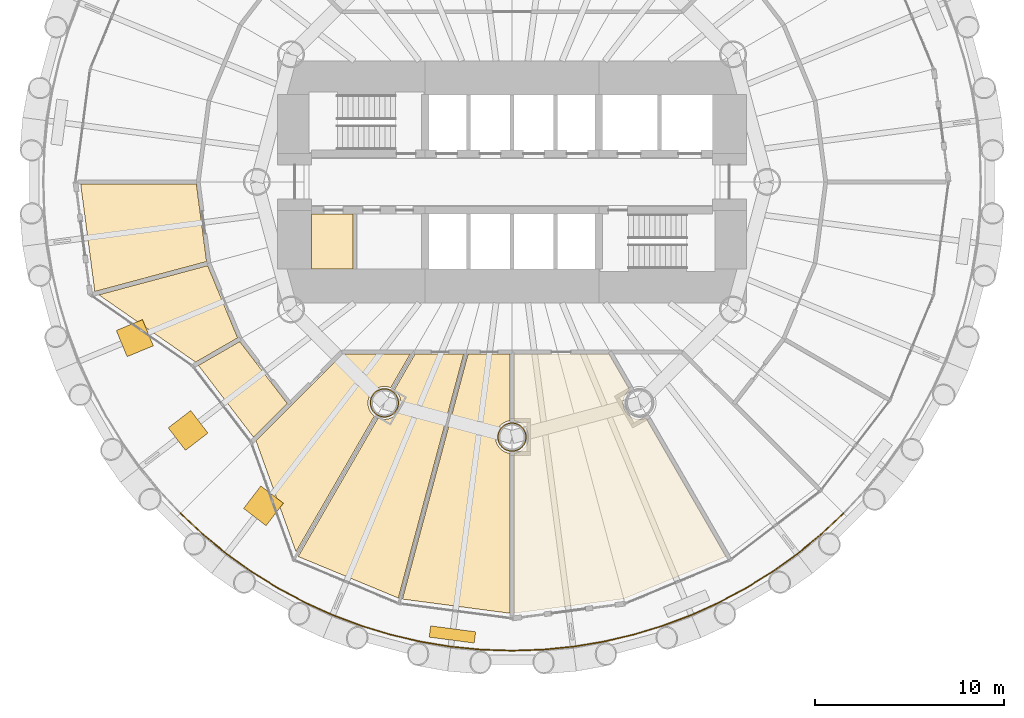
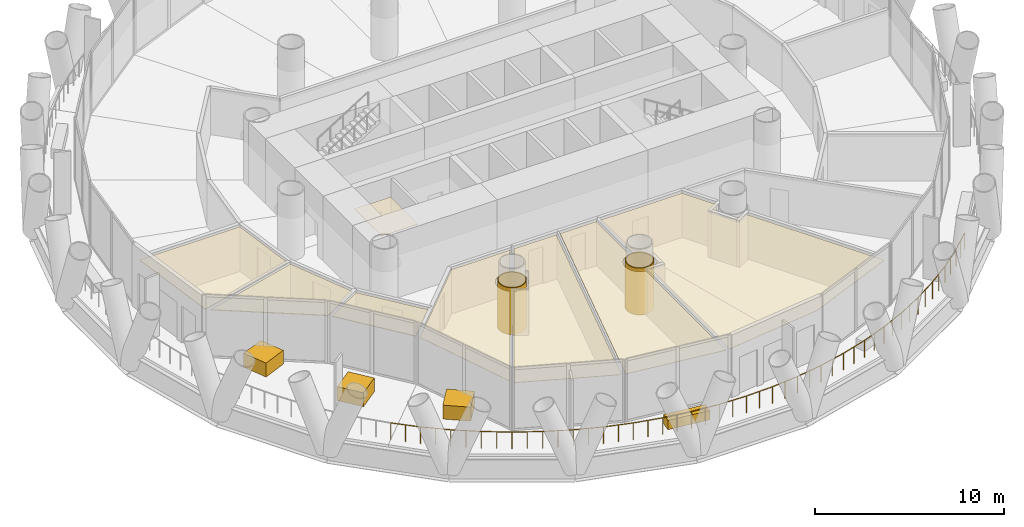
# One storey, part 11 of 14: 14 coverings, 1 railing.
"""IFC4 building model written with IfcOpenShell, lengths in metres."""

from ifc_helpers import new_model, si_unit, direction, frame, origin, origin_2d, place, context, subcontext, project, spatial, polyline, rectangle, circle, outline, extrude, material, layer, layer_set, type_object, element, save


model = new_model("IFC4")

# Units and contexts
model_context = context("Model", 3, precision=1e-05, world=origin(), true_north=direction((0.0, 1.0)))
body_context = subcontext(model_context, "Body", "Model", "MODEL_VIEW")
ifc_project = project(units=[si_unit("LENGTHUNIT", "METRE"), si_unit("AREAUNIT", "SQUARE_METRE"), si_unit("VOLUMEUNIT", "CUBIC_METRE"), si_unit("PLANEANGLEUNIT", "RADIAN"), si_unit("MASSUNIT", "GRAM", prefix="KILO")], contexts=[model_context])

# Site, building, storey
site_placement = place(None, origin())
site = spatial("IfcSite", under=ifc_project, at=site_placement, CompositionType="ELEMENT")
building_placement = place(site_placement, origin())
building = spatial("IfcBuilding", under=site, at=building_placement, Name="Qaws Media Tower", CompositionType="ELEMENT")
storey_placement = place(building_placement, frame((0.0, 0.0, 84.800048828125)))
storey = spatial("IfcBuildingStorey", under=building, at=storey_placement, Name="L18", CompositionType="ELEMENT", Elevation=84.800048828125)

# Coverings
ifc_material_1 = material(Name="40 perforated acoustic panels with mineral wool backing, suspended", Category="mineral fibre")
ifc_layer_1 = layer(ifc_material_1, 0.0400390625)
ifc_layer_set_1 = layer_set([ifc_layer_1], Name="Acoustic panel ceiling 40")
covering_type_1 = type_object("IfcCoveringType", Name="Acoustic panel ceiling 40", PredefinedType="CEILING", material=ifc_layer_set_1)
covering_1_placement = place(storey_placement, frame((0.0, 0.0, 2.849853515625)))
element("IfcCovering", 1, at=covering_1_placement, inside=storey, type_object=covering_type_1, Name="CL3 ceiling L18-03 Translation booth", PredefinedType="CEILING", context=body_context, shape_type="SweptSolid", body=[
    extrude(outline(polyline([(37.1796875, 49.887451171875), (43.30126953125, 49.887451171875), (43.84130859375, 45.78662109375), (37.927978515625, 44.202392578125), (37.1796875, 49.887451171875)])), origin(), (0.0, 0.0, 1.0), 0.0400390625),
])
covering_2_placement = place(storey_placement, frame((0.0, 0.0, 2.849853515625)))
element("IfcCovering", 2, at=covering_2_placement, inside=storey, type_object=covering_type_1, Name="CL3 ceiling L18-04 Translation booth", PredefinedType="CEILING", context=body_context, shape_type="SweptSolid", body=[
    extrude(outline(polyline([(38.139892578125, 44.026123046875), (43.8994140625, 45.5693359375), (45.482421875, 41.748046875), (43.26171875, 40.466064453125), (38.139892578125, 44.026123046875)])), origin(), (0.0, 0.0, 1.0), 0.0400390625),
])
covering_3_placement = place(storey_placement, frame((0.0, 0.0, 2.849853515625)))
element("IfcCovering", 3, at=covering_3_placement, inside=storey, type_object=covering_type_1, Name="CL3 ceiling L18-05 Translation booth", PredefinedType="CEILING", context=body_context, shape_type="SweptSolid", body=[
    extrude(outline(polyline([(43.410888671875, 40.29248046875), (45.5947265625, 41.55322265625), (48.11279296875, 38.271728515625), (46.32958984375, 36.48876953125), (43.410888671875, 40.29248046875)])), origin(), (0.0, 0.0, 1.0), 0.0400390625),
])

# Railing
ifc_material_2 = material(Name="Stainless steel and glass guard", Category="steel")
railing_type = type_object("IfcRailingType", Name="Balcony guard 1100", PredefinedType="GUARDRAIL", material=ifc_material_2)
railing_placement = place(storey_placement, frame((42.4638671875, 32.4638671875, 0.0)))
element("IfcRailing", 4, at=railing_placement, inside=storey, type_object=railing_type, Name="GR1 balcony guard L18-3", PredefinedType="GUARDRAIL", context=body_context, shape_type="SweptSolid", body=[
    extrude(circle(Radius=0.02392578125, at=origin_2d()), frame((0.0, 0.0, 1.076171875), z_axis=(0.729823335563, -0.683635794022, 0.0), x_axis=(0.683635794022, 0.729823335563, 0.0)), (0.0, 0.0, 1.0), 1.622802734375),
    extrude(circle(Radius=0.02392578125, at=origin_2d()), frame((1.184326171875, -1.109375, 1.076171875), z_axis=(0.773044998385, -0.634351188595, 0.0), x_axis=(0.634351188595, 0.773044998385, 0.0)), (0.0, 0.0, 1.0), 1.623046875),
    extrude(circle(Radius=0.02392578125, at=origin_2d()), frame((2.43896484375, -2.138916015625, 1.076171875), z_axis=(0.812827812024, -0.582504032604, 0.0), x_axis=(0.582504032604, 0.812827812024, 0.0)), (0.0, 0.0, 1.0), 1.622802734375),
    extrude(circle(Radius=0.02392578125, at=origin_2d()), frame((3.758056640625, -3.084228515625, 1.076171875), z_axis=(0.849154052867, -0.528145239967, 0.0), x_axis=(0.528145239967, 0.849154052867, 0.0)), (0.0, 0.0, 1.0), 1.623046875),
    extrude(circle(Radius=0.02392578125, at=origin_2d()), frame((5.13623046875, -3.94140625, 1.076171875), z_axis=(0.881940295508, -0.471361130301, 0.0), x_axis=(0.471361130301, 0.881940295508, 0.0)), (0.0, 0.0, 1.0), 1.622802734375),
    extrude(circle(Radius=0.02392578125, at=origin_2d()), frame((6.5673828125, -4.706298828125, 1.076171875), z_axis=(0.910891239734, -0.412646518677, 0.0), x_axis=(0.412646518677, 0.910891239734, 0.0)), (0.0, 0.0, 1.0), 1.622802734375),
    extrude(circle(Radius=0.02392578125, at=origin_2d()), frame((8.045654296875, -5.3759765625, 1.076171875), z_axis=(0.935877089003, -0.352326658486, 0.0), x_axis=(0.352326658486, 0.935877089003, 0.0)), (0.0, 0.0, 1.0), 1.622802734375),
    extrude(circle(Radius=0.02392578125, at=origin_2d()), frame((9.564453125, -5.94775390625, 1.076171875), z_axis=(0.956923127669, -0.290341398585, 0.0), x_axis=(0.290341398585, 0.956923127669, 0.0)), (0.0, 0.0, 1.0), 1.622802734375),
    extrude(circle(Radius=0.02392578125, at=origin_2d()), frame((11.117431640625, -6.4189453125, 1.076171875), z_axis=(0.973894444351, -0.227001346389, 0.0), x_axis=(0.227001346389, 0.973894444351, 0.0)), (0.0, 0.0, 1.0), 1.623046875),
    extrude(circle(Radius=0.02392578125, at=origin_2d()), frame((12.697998046875, -6.787353515625, 1.076171875), z_axis=(0.986636807112, -0.162934989647, 0.0), x_axis=(0.162934989647, 0.986636807112, 0.0)), (0.0, 0.0, 1.0), 1.622802734375),
    extrude(circle(Radius=0.02392578125, at=origin_2d()), frame((14.299072265625, -7.0517578125, 1.076171875), z_axis=(0.995192364026, -0.097939565983, 0.0), x_axis=(0.097939565983, 0.995192364026, 0.0)), (0.0, 0.0, 1.0), 1.622802734375),
    extrude(circle(Radius=0.02392578125, at=origin_2d()), frame((15.9140625, -7.210693359375, 1.076171875), z_axis=(0.999462135048, -0.032793911114, 0.0), x_axis=(0.032793911114, 0.999462135048, 0.0)), (0.0, 0.0, 1.0), 1.623046875),
    extrude(circle(Radius=0.02392578125, at=origin_2d()), frame((17.5361328125, -7.263916015625, 1.076171875), z_axis=(0.999462135048, 0.032793911114, 0.0), x_axis=(-0.032793911114, 0.999462135048, 0.0)), (0.0, 0.0, 1.0), 1.623046875),
    extrude(circle(Radius=0.02392578125, at=origin_2d()), frame((19.158203125, -7.210693359375, 1.076171875), z_axis=(0.995192364026, 0.097939565983, 0.0), x_axis=(-0.097939565983, 0.995192364026, 0.0)), (0.0, 0.0, 1.0), 1.622802734375),
    extrude(circle(Radius=0.02392578125, at=origin_2d()), frame((20.773193359375, -7.0517578125, 1.076171875), z_axis=(0.986636807112, 0.162934989647, 0.0), x_axis=(-0.162934989647, 0.986636807112, 0.0)), (0.0, 0.0, 1.0), 1.622802734375),
    extrude(circle(Radius=0.02392578125, at=origin_2d()), frame((22.374267578125, -6.787353515625, 1.076171875), z_axis=(0.973894444351, 0.227001346389, 0.0), x_axis=(-0.227001346389, 0.973894444351, 0.0)), (0.0, 0.0, 1.0), 1.623046875),
    extrude(circle(Radius=0.02392578125, at=origin_2d()), frame((23.954833984375, -6.4189453125, 1.076171875), z_axis=(0.956923127669, 0.290341398585, 0.0), x_axis=(-0.290341398585, 0.956923127669, 0.0)), (0.0, 0.0, 1.0), 1.622802734375),
    extrude(circle(Radius=0.02392578125, at=origin_2d()), frame((25.5078125, -5.94775390625, 1.076171875), z_axis=(0.935877089003, 0.352326658486, 0.0), x_axis=(-0.352326658486, 0.935877089003, 0.0)), (0.0, 0.0, 1.0), 1.622802734375),
    extrude(circle(Radius=0.02392578125, at=origin_2d()), frame((27.026611328125, -5.3759765625, 1.076171875), z_axis=(0.910891239734, 0.412646518677, 0.0), x_axis=(-0.412646518677, 0.910891239734, 0.0)), (0.0, 0.0, 1.0), 1.622802734375),
    extrude(circle(Radius=0.02392578125, at=origin_2d()), frame((28.5048828125, -4.706298828125, 1.076171875), z_axis=(0.881940295508, 0.471361130301, 0.0), x_axis=(-0.471361130301, 0.881940295508, 0.0)), (0.0, 0.0, 1.0), 1.622802734375),
    extrude(circle(Radius=0.02392578125, at=origin_2d()), frame((29.93603515625, -3.94140625, 1.076171875), z_axis=(0.849154052867, 0.528145239967, 0.0), x_axis=(-0.528145239967, 0.849154052867, 0.0)), (0.0, 0.0, 1.0), 1.623046875),
    extrude(circle(Radius=0.02392578125, at=origin_2d()), frame((31.314208984375, -3.084228515625, 1.076171875), z_axis=(0.812827812024, 0.582504032604, 0.0), x_axis=(-0.582504032604, 0.812827812024, 0.0)), (0.0, 0.0, 1.0), 1.622802734375),
    extrude(circle(Radius=0.02392578125, at=origin_2d()), frame((32.63330078125, -2.138916015625, 1.076171875), z_axis=(0.773044998385, 0.634351188595, 0.0), x_axis=(-0.634351188595, 0.773044998385, 0.0)), (0.0, 0.0, 1.0), 1.623046875),
    extrude(circle(Radius=0.02392578125, at=origin_2d()), frame((33.887939453125, -1.109375, 1.076171875), z_axis=(0.729823335563, 0.683635794022, 0.0), x_axis=(-0.683635794022, 0.729823335563, 0.0)), (0.0, 0.0, 1.0), 1.622802734375),
    extrude(circle(Radius=0.02099609375, at=origin_2d()), origin(), (0.0, 0.0, 1.0), 1.052001953125),
    extrude(circle(Radius=0.02099609375, at=origin_2d()), frame((0.59228515625, -0.5546875, 0.0)), (0.0, 0.0, 1.0), 1.052001953125),
    extrude(circle(Radius=0.02099609375, at=origin_2d()), frame((1.184326171875, -1.109375, 0.0)), (0.0, 0.0, 1.0), 1.052001953125),
    extrude(circle(Radius=0.02099609375, at=origin_2d()), frame((1.8115234375, -1.6240234375, 0.0)), (0.0, 0.0, 1.0), 1.052001953125),
    extrude(circle(Radius=0.02099609375, at=origin_2d()), frame((2.43896484375, -2.138916015625, 0.0)), (0.0, 0.0, 1.0), 1.052001953125),
    extrude(circle(Radius=0.02099609375, at=origin_2d()), frame((3.0986328125, -2.611572265625, 0.0)), (0.0, 0.0, 1.0), 1.052001953125),
    extrude(circle(Radius=0.02099609375, at=origin_2d()), frame((3.758056640625, -3.084228515625, 0.0)), (0.0, 0.0, 1.0), 1.052001953125),
    extrude(circle(Radius=0.02099609375, at=origin_2d()), frame((4.447265625, -3.5126953125, 0.0)), (0.0, 0.0, 1.0), 1.052001953125),
    extrude(circle(Radius=0.02099609375, at=origin_2d()), frame((5.13623046875, -3.94140625, 0.0)), (0.0, 0.0, 1.0), 1.052001953125),
    extrude(circle(Radius=0.02099609375, at=origin_2d()), frame((5.851806640625, -4.32373046875, 0.0)), (0.0, 0.0, 1.0), 1.052001953125),
    extrude(circle(Radius=0.02099609375, at=origin_2d()), frame((6.5673828125, -4.706298828125, 0.0)), (0.0, 0.0, 1.0), 1.052001953125),
    extrude(circle(Radius=0.02099609375, at=origin_2d()), frame((7.306640625, -5.041015625, 0.0)), (0.0, 0.0, 1.0), 1.052001953125),
    extrude(circle(Radius=0.02099609375, at=origin_2d()), frame((8.045654296875, -5.3759765625, 0.0)), (0.0, 0.0, 1.0), 1.052001953125),
    extrude(circle(Radius=0.02099609375, at=origin_2d()), frame((8.80517578125, -5.661865234375, 0.0)), (0.0, 0.0, 1.0), 1.052001953125),
    extrude(circle(Radius=0.02099609375, at=origin_2d()), frame((9.564453125, -5.94775390625, 0.0)), (0.0, 0.0, 1.0), 1.052001953125),
    extrude(circle(Radius=0.02099609375, at=origin_2d()), frame((10.3408203125, -6.183349609375, 0.0)), (0.0, 0.0, 1.0), 1.052001953125),
    extrude(circle(Radius=0.02099609375, at=origin_2d()), frame((11.117431640625, -6.4189453125, 0.0)), (0.0, 0.0, 1.0), 1.052001953125),
    extrude(circle(Radius=0.02099609375, at=origin_2d()), frame((11.90771484375, -6.60302734375, 0.0)), (0.0, 0.0, 1.0), 1.052001953125),
    extrude(circle(Radius=0.02099609375, at=origin_2d()), frame((12.697998046875, -6.787353515625, 0.0)), (0.0, 0.0, 1.0), 1.052001953125),
    extrude(circle(Radius=0.02099609375, at=origin_2d()), frame((13.49853515625, -6.91943359375, 0.0)), (0.0, 0.0, 1.0), 1.052001953125),
    extrude(circle(Radius=0.02099609375, at=origin_2d()), frame((14.299072265625, -7.0517578125, 0.0)), (0.0, 0.0, 1.0), 1.052001953125),
    extrude(circle(Radius=0.02099609375, at=origin_2d()), frame((15.1064453125, -7.13134765625, 0.0)), (0.0, 0.0, 1.0), 1.052001953125),
    extrude(circle(Radius=0.02099609375, at=origin_2d()), frame((15.9140625, -7.210693359375, 0.0)), (0.0, 0.0, 1.0), 1.052001953125),
    extrude(circle(Radius=0.02099609375, at=origin_2d()), frame((16.72509765625, -7.2373046875, 0.0)), (0.0, 0.0, 1.0), 1.052001953125),
    extrude(circle(Radius=0.02099609375, at=origin_2d()), frame((17.5361328125, -7.263916015625, 0.0)), (0.0, 0.0, 1.0), 1.052001953125),
    extrude(circle(Radius=0.02099609375, at=origin_2d()), frame((18.34716796875, -7.2373046875, 0.0)), (0.0, 0.0, 1.0), 1.052001953125),
    extrude(circle(Radius=0.02099609375, at=origin_2d()), frame((19.158203125, -7.210693359375, 0.0)), (0.0, 0.0, 1.0), 1.052001953125),
    extrude(circle(Radius=0.02099609375, at=origin_2d()), frame((19.9658203125, -7.13134765625, 0.0)), (0.0, 0.0, 1.0), 1.052001953125),
    extrude(circle(Radius=0.02099609375, at=origin_2d()), frame((20.773193359375, -7.0517578125, 0.0)), (0.0, 0.0, 1.0), 1.052001953125),
    extrude(circle(Radius=0.02099609375, at=origin_2d()), frame((21.57373046875, -6.91943359375, 0.0)), (0.0, 0.0, 1.0), 1.052001953125),
    extrude(circle(Radius=0.02099609375, at=origin_2d()), frame((22.374267578125, -6.787353515625, 0.0)), (0.0, 0.0, 1.0), 1.052001953125),
    extrude(circle(Radius=0.02099609375, at=origin_2d()), frame((23.16455078125, -6.60302734375, 0.0)), (0.0, 0.0, 1.0), 1.052001953125),
    extrude(circle(Radius=0.02099609375, at=origin_2d()), frame((23.954833984375, -6.4189453125, 0.0)), (0.0, 0.0, 1.0), 1.052001953125),
    extrude(circle(Radius=0.02099609375, at=origin_2d()), frame((24.7314453125, -6.183349609375, 0.0)), (0.0, 0.0, 1.0), 1.052001953125),
    extrude(circle(Radius=0.02099609375, at=origin_2d()), frame((25.5078125, -5.94775390625, 0.0)), (0.0, 0.0, 1.0), 1.052001953125),
    extrude(circle(Radius=0.02099609375, at=origin_2d()), frame((26.26708984375, -5.661865234375, 0.0)), (0.0, 0.0, 1.0), 1.052001953125),
    extrude(circle(Radius=0.02099609375, at=origin_2d()), frame((27.026611328125, -5.3759765625, 0.0)), (0.0, 0.0, 1.0), 1.052001953125),
    extrude(circle(Radius=0.02099609375, at=origin_2d()), frame((27.765625, -5.041015625, 0.0)), (0.0, 0.0, 1.0), 1.052001953125),
    extrude(circle(Radius=0.02099609375, at=origin_2d()), frame((28.5048828125, -4.706298828125, 0.0)), (0.0, 0.0, 1.0), 1.052001953125),
    extrude(circle(Radius=0.02099609375, at=origin_2d()), frame((29.220458984375, -4.32373046875, 0.0)), (0.0, 0.0, 1.0), 1.052001953125),
    extrude(circle(Radius=0.02099609375, at=origin_2d()), frame((29.93603515625, -3.94140625, 0.0)), (0.0, 0.0, 1.0), 1.052001953125),
    extrude(circle(Radius=0.02099609375, at=origin_2d()), frame((30.625, -3.5126953125, 0.0)), (0.0, 0.0, 1.0), 1.052001953125),
    extrude(circle(Radius=0.02099609375, at=origin_2d()), frame((31.314208984375, -3.084228515625, 0.0)), (0.0, 0.0, 1.0), 1.052001953125),
    extrude(circle(Radius=0.02099609375, at=origin_2d()), frame((31.9736328125, -2.611572265625, 0.0)), (0.0, 0.0, 1.0), 1.052001953125),
    extrude(circle(Radius=0.02099609375, at=origin_2d()), frame((32.63330078125, -2.138916015625, 0.0)), (0.0, 0.0, 1.0), 1.052001953125),
    extrude(circle(Radius=0.02099609375, at=origin_2d()), frame((33.2607421875, -1.6240234375, 0.0)), (0.0, 0.0, 1.0), 1.052001953125),
    extrude(circle(Radius=0.02099609375, at=origin_2d()), frame((33.887939453125, -1.109375, 0.0)), (0.0, 0.0, 1.0), 1.052001953125),
    extrude(circle(Radius=0.02099609375, at=origin_2d()), frame((34.47998046875, -0.5546875, 0.0)), (0.0, 0.0, 1.0), 1.052001953125),
    extrude(circle(Radius=0.02099609375, at=origin_2d()), frame((35.072265625, 0.0, 0.0)), (0.0, 0.0, 1.0), 1.052001953125),
])

# Coverings
ifc_material_3 = material(Name="Two layers 15 fire-rated gypsum board on steel framing", Category="steel")
ifc_layer_2 = layer(ifc_material_3, 0.050048828125)
ifc_layer_set_2 = layer_set([ifc_layer_2], Name="Column fire casing")
covering_type_2 = type_object("IfcCoveringType", Name="Column fire casing", PredefinedType="CLADDING", material=ifc_layer_set_2)
covering_4_placement = place(storey_placement, origin())
element("IfcCovering", 5, at=covering_4_placement, inside=storey, type_object=covering_type_2, Name="CC1 column casing L18", PredefinedType="CLADDING", context=body_context, shape_type="SweptSolid", body=[
    extrude(outline(polyline([(54.01611328125, 38.30859375), (54.009521484375, 38.208740234375), (53.989990234375, 38.1103515625), (53.957763671875, 38.015380859375), (53.913330078125, 37.92578125), (53.857666015625, 37.84228515625), (53.79150390625, 37.76708984375), (53.71630859375, 37.700927734375), (53.633056640625, 37.645263671875), (53.543212890625, 37.60107421875), (53.4482421875, 37.56884765625), (53.35009765625, 37.54931640625), (53.25, 37.542724609375), (53.14990234375, 37.54931640625), (53.0517578125, 37.56884765625), (52.956787109375, 37.60107421875), (52.866943359375, 37.645263671875), (52.78369140625, 37.700927734375), (52.70849609375, 37.76708984375), (52.642333984375, 37.84228515625), (52.586669921875, 37.92578125), (52.542236328125, 38.015380859375), (52.510009765625, 38.1103515625), (52.490478515625, 38.208740234375), (52.48388671875, 38.30859375), (52.490478515625, 38.40869140625), (52.510009765625, 38.5068359375), (52.542236328125, 38.601806640625), (52.586669921875, 38.691650390625), (52.642333984375, 38.77490234375), (52.70849609375, 38.850341796875), (52.78369140625, 38.91650390625), (52.866943359375, 38.971923828125), (52.956787109375, 39.016357421875), (53.0517578125, 39.048583984375), (53.14990234375, 39.068115234375), (53.25, 39.07470703125), (53.35009765625, 39.068115234375), (53.4482421875, 39.048583984375), (53.543212890625, 39.016357421875), (53.633056640625, 38.971923828125), (53.71630859375, 38.91650390625), (53.79150390625, 38.850341796875), (53.857666015625, 38.77490234375), (53.913330078125, 38.691650390625), (53.957763671875, 38.601806640625), (53.989990234375, 38.5068359375), (54.009521484375, 38.40869140625), (54.01611328125, 38.30859375)]), holes=[polyline([(53.964111328125, 38.30859375), (53.9580078125, 38.215576171875), (53.939697265625, 38.123779296875), (53.90966796875, 38.035400390625), (53.868408203125, 37.95166015625), (53.81640625, 37.8740234375), (53.7548828125, 37.8037109375), (53.684814453125, 37.7421875), (53.60693359375, 37.690185546875), (53.523193359375, 37.64892578125), (53.434814453125, 37.618896484375), (53.34326171875, 37.600830078125), (53.25, 37.5947265625), (53.15673828125, 37.600830078125), (53.065185546875, 37.618896484375), (52.976806640625, 37.64892578125), (52.89306640625, 37.690185546875), (52.815185546875, 37.7421875), (52.7451171875, 37.8037109375), (52.68359375, 37.8740234375), (52.631591796875, 37.95166015625), (52.59033203125, 38.035400390625), (52.560302734375, 38.123779296875), (52.5419921875, 38.215576171875), (52.535888671875, 38.30859375), (52.5419921875, 38.40185546875), (52.560302734375, 38.493408203125), (52.59033203125, 38.581787109375), (52.631591796875, 38.665771484375), (52.68359375, 38.743408203125), (52.7451171875, 38.8134765625), (52.815185546875, 38.875), (52.89306640625, 38.927001953125), (52.976806640625, 38.96826171875), (53.065185546875, 38.998291015625), (53.15673828125, 39.0166015625), (53.25, 39.022705078125), (53.34326171875, 39.0166015625), (53.434814453125, 38.998291015625), (53.523193359375, 38.96826171875), (53.60693359375, 38.927001953125), (53.684814453125, 38.875), (53.7548828125, 38.8134765625), (53.81640625, 38.743408203125), (53.868408203125, 38.665771484375), (53.90966796875, 38.581787109375), (53.939697265625, 38.493408203125), (53.9580078125, 38.40185546875), (53.964111328125, 38.30859375)])]), origin(), (0.0, 0.0, 1.0), 3.02001953125),
])
covering_5_placement = place(storey_placement, origin())
element("IfcCovering", 6, at=covering_5_placement, inside=storey, type_object=covering_type_2, Name="CC1 column casing L18", PredefinedType="CLADDING", context=body_context, shape_type="SweptSolid", body=[
    extrude(outline(polyline([(60.76611328125, 36.5), (60.759521484375, 36.39990234375), (60.739990234375, 36.3017578125), (60.707763671875, 36.206787109375), (60.663330078125, 36.116943359375), (60.607666015625, 36.03369140625), (60.54150390625, 35.95849609375), (60.46630859375, 35.892333984375), (60.383056640625, 35.836669921875), (60.293212890625, 35.792236328125), (60.1982421875, 35.760009765625), (60.10009765625, 35.740478515625), (60.0, 35.73388671875), (59.89990234375, 35.740478515625), (59.8017578125, 35.760009765625), (59.706787109375, 35.792236328125), (59.616943359375, 35.836669921875), (59.53369140625, 35.892333984375), (59.45849609375, 35.95849609375), (59.392333984375, 36.03369140625), (59.336669921875, 36.116943359375), (59.292236328125, 36.206787109375), (59.260009765625, 36.3017578125), (59.240478515625, 36.39990234375), (59.23388671875, 36.5), (59.240478515625, 36.60009765625), (59.260009765625, 36.6982421875), (59.292236328125, 36.793212890625), (59.336669921875, 36.883056640625), (59.392333984375, 36.96630859375), (59.45849609375, 37.04150390625), (59.53369140625, 37.107666015625), (59.616943359375, 37.163330078125), (59.706787109375, 37.207763671875), (59.8017578125, 37.239990234375), (59.89990234375, 37.259521484375), (60.0, 37.26611328125), (60.10009765625, 37.259521484375), (60.1982421875, 37.239990234375), (60.293212890625, 37.207763671875), (60.383056640625, 37.163330078125), (60.46630859375, 37.107666015625), (60.54150390625, 37.04150390625), (60.607666015625, 36.96630859375), (60.663330078125, 36.883056640625), (60.707763671875, 36.793212890625), (60.739990234375, 36.6982421875), (60.759521484375, 36.60009765625), (60.76611328125, 36.5)]), holes=[polyline([(60.714111328125, 36.5), (60.7080078125, 36.40673828125), (60.689697265625, 36.315185546875), (60.65966796875, 36.226806640625), (60.618408203125, 36.14306640625), (60.56640625, 36.065185546875), (60.5048828125, 35.9951171875), (60.434814453125, 35.93359375), (60.35693359375, 35.881591796875), (60.273193359375, 35.84033203125), (60.184814453125, 35.810302734375), (60.09326171875, 35.7919921875), (60.0, 35.785888671875), (59.90673828125, 35.7919921875), (59.815185546875, 35.810302734375), (59.726806640625, 35.84033203125), (59.64306640625, 35.881591796875), (59.565185546875, 35.93359375), (59.4951171875, 35.9951171875), (59.43359375, 36.065185546875), (59.381591796875, 36.14306640625), (59.34033203125, 36.226806640625), (59.310302734375, 36.315185546875), (59.2919921875, 36.40673828125), (59.285888671875, 36.5), (59.2919921875, 36.59326171875), (59.310302734375, 36.684814453125), (59.34033203125, 36.773193359375), (59.381591796875, 36.85693359375), (59.43359375, 36.934814453125), (59.4951171875, 37.0048828125), (59.565185546875, 37.06640625), (59.64306640625, 37.118408203125), (59.726806640625, 37.15966796875), (59.815185546875, 37.189697265625), (59.90673828125, 37.2080078125), (60.0, 37.214111328125), (60.09326171875, 37.2080078125), (60.184814453125, 37.189697265625), (60.273193359375, 37.15966796875), (60.35693359375, 37.118408203125), (60.434814453125, 37.06640625), (60.5048828125, 37.0048828125), (60.56640625, 36.934814453125), (60.618408203125, 36.85693359375), (60.65966796875, 36.773193359375), (60.689697265625, 36.684814453125), (60.7080078125, 36.59326171875), (60.714111328125, 36.5)])]), origin(), (0.0, 0.0, 1.0), 3.02001953125),
])
ifc_material_4 = material(Name="Precast concrete planter with trailing planting", Category="concrete")
ifc_layer_3 = layer(ifc_material_4, 0.60009765625)
ifc_layer_set_3 = layer_set([ifc_layer_3], Name="Planter 2400x600")
covering_type_3 = type_object("IfcCoveringType", Name="Planter 2400x600", PredefinedType="USERDEFINED", material=ifc_layer_set_3)
covering_6_placement = place(storey_placement, frame((56.847900390625, 26.056640625, 0.0), z_axis=(0.0, 0.0, 1.0), x_axis=(0.991444861374, -0.13052619222, 0.0)))
element("IfcCovering", 7, at=covering_6_placement, inside=storey, type_object=covering_type_3, Name="PL1 balcony planter L18-09", ObjectType="PLANTER", PredefinedType="USERDEFINED", context=body_context, shape_type="SweptSolid", body=[
    extrude(rectangle(XDim=2.39990234375, YDim=0.60009765625, at=origin_2d()), origin(), (0.0, 0.0, 1.0), 0.60009765625),
])
ifc_material_5 = material(Name="Two layers 12.5 moisture-resistant plasterboard on suspended metal furring", Category="gypsum")
ifc_layer_4 = layer(ifc_material_5, 0.02490234375)
ifc_layer_set_4 = layer_set([ifc_layer_4], Name="Plasterboard ceiling 25")
covering_type_4 = type_object("IfcCoveringType", Name="Plasterboard ceiling 25", PredefinedType="CEILING", material=ifc_layer_set_4)
covering_7_placement = place(storey_placement, frame((0.0, 0.0, 2.849853515625)))
element("IfcCovering", 8, at=covering_7_placement, inside=storey, type_object=covering_type_4, Name="CL2 ceiling L18-06 Editor's office", PredefinedType="CEILING", context=body_context, shape_type="SweptSolid", body=[
    extrude(outline(polyline([(51.046630859375, 40.887451171875), (54.60888671875, 40.887451171875), (53.58447265625, 39.11279296875), (53.475341796875, 39.14990234375), (53.36376953125, 39.172119140625), (53.25, 39.1796875), (53.13623046875, 39.172119140625), (53.024658203125, 39.14990234375), (52.916748046875, 39.11328125), (52.814453125, 39.06298828125), (52.7197265625, 38.999755859375), (52.634033203125, 38.924560546875), (52.55908203125, 38.8388671875), (52.49560546875, 38.744140625), (52.4453125, 38.64208984375), (52.40869140625, 38.5341796875), (52.386474609375, 38.42236328125), (52.37890625, 38.30859375), (52.386474609375, 38.195068359375), (52.40869140625, 38.083251953125), (52.4453125, 37.975341796875), (52.49560546875, 37.873291015625), (52.55908203125, 37.7783203125), (52.634033203125, 37.69287109375), (52.720703125, 37.616943359375), (48.572021484375, 30.430908203125), (46.458740234375, 36.299560546875), (51.046630859375, 40.887451171875)])), origin(), (0.0, 0.0, 1.0), 0.025146484375),
])
covering_8_placement = place(storey_placement, frame((0.0, 0.0, 2.849853515625)))
element("IfcCovering", 9, at=covering_8_placement, inside=storey, type_object=covering_type_4, Name="CL2 ceiling L18-07 Editor's office", PredefinedType="CEILING", context=body_context, shape_type="SweptSolid", body=[
    extrude(outline(polyline([(52.91552734375, 37.50439453125), (53.024658203125, 37.46728515625), (53.13623046875, 37.445068359375), (53.25, 37.437744140625), (53.36376953125, 37.445068359375), (53.475341796875, 37.46728515625), (53.583251953125, 37.50390625), (53.685546875, 37.55419921875), (53.7802734375, 37.61767578125), (53.865966796875, 37.69287109375), (53.94091796875, 37.7783203125), (54.00439453125, 37.873291015625), (54.0546875, 37.975341796875), (54.09130859375, 38.083251953125), (54.113525390625, 38.195068359375), (54.12109375, 38.30859375), (54.113525390625, 38.42236328125), (54.09130859375, 38.5341796875), (54.0546875, 38.64208984375), (54.00439453125, 38.744140625), (53.94091796875, 38.8388671875), (53.865966796875, 38.924560546875), (53.779296875, 39.000244140625), (54.868896484375, 40.887451171875), (57.44189453125, 40.887451171875), (53.985107421875, 27.986328125), (48.687255859375, 30.1806640625), (52.91552734375, 37.50439453125)])), origin(), (0.0, 0.0, 1.0), 0.025146484375),
])
covering_9_placement = place(storey_placement, frame((0.0, 0.0, 2.849853515625)))
element("IfcCovering", 10, at=covering_9_placement, inside=storey, type_object=covering_type_4, Name="CL2 ceiling L18-08 Editor's office", PredefinedType="CEILING", context=body_context, shape_type="SweptSolid", body=[
    extrude(outline(polyline([(54.202392578125, 27.927978515625), (57.6748046875, 40.887451171875), (59.887451171875, 40.887451171875), (59.887451171875, 37.363525390625), (59.774658203125, 37.34130859375), (59.666748046875, 37.3046875), (59.564453125, 37.25439453125), (59.4697265625, 37.19091796875), (59.384033203125, 37.115966796875), (59.30908203125, 37.0302734375), (59.24560546875, 36.935546875), (59.1953125, 36.833251953125), (59.15869140625, 36.725341796875), (59.136474609375, 36.61376953125), (59.12890625, 36.5), (59.136474609375, 36.38623046875), (59.15869140625, 36.274658203125), (59.1953125, 36.166748046875), (59.24560546875, 36.064453125), (59.30908203125, 35.9697265625), (59.384033203125, 35.884033203125), (59.4697265625, 35.80908203125), (59.564453125, 35.74560546875), (59.666748046875, 35.6953125), (59.774658203125, 35.65869140625), (59.887451171875, 35.636474609375), (59.887451171875, 27.1796875), (54.202392578125, 27.927978515625)])), origin(), (0.0, 0.0, 1.0), 0.025146484375),
])
covering_10_placement = place(storey_placement, frame((0.0, 0.0, 2.849853515625)))
element("IfcCovering", 11, at=covering_10_placement, inside=storey, type_object=covering_type_4, Name="CL2 ceiling L18-09 Satellite booking office", PredefinedType="CEILING", context=body_context, shape_type="SweptSolid", body=[
    extrude(outline(polyline([(65.91015625, 27.94287109375), (60.112548828125, 27.1796875), (60.112548828125, 35.636474609375), (60.225341796875, 35.65869140625), (60.333251953125, 35.6953125), (60.435546875, 35.74560546875), (60.5302734375, 35.80908203125), (60.615966796875, 35.884033203125), (60.69091796875, 35.9697265625), (60.75439453125, 36.064453125), (60.8046875, 36.166748046875), (60.84130859375, 36.274658203125), (60.863525390625, 36.38623046875), (60.87109375, 36.5), (60.863525390625, 36.61376953125), (60.84130859375, 36.725341796875), (60.8046875, 36.833251953125), (60.75439453125, 36.935546875), (60.69091796875, 37.0302734375), (60.615966796875, 37.115966796875), (60.5302734375, 37.19091796875), (60.435546875, 37.25439453125), (60.333251953125, 37.3046875), (60.225341796875, 37.34130859375), (60.112548828125, 37.363525390625), (60.112548828125, 40.887451171875), (65.131103515625, 40.887451171875), (66.220703125, 39.000244140625), (66.134033203125, 38.924560546875), (66.05908203125, 38.8388671875), (65.99560546875, 38.744140625), (65.9453125, 38.64208984375), (65.90869140625, 38.5341796875), (65.886474609375, 38.42236328125), (65.87890625, 38.30859375), (65.886474609375, 38.195068359375), (65.90869140625, 38.083251953125), (65.9453125, 37.975341796875), (65.99560546875, 37.873291015625), (66.05908203125, 37.7783203125), (66.134033203125, 37.69287109375), (66.2197265625, 37.61767578125), (66.314453125, 37.55419921875), (66.416748046875, 37.50390625), (66.524658203125, 37.46728515625), (66.63623046875, 37.445068359375), (66.75, 37.437744140625), (66.86376953125, 37.445068359375), (66.975341796875, 37.46728515625), (67.08447265625, 37.50439453125), (71.312744140625, 30.1806640625), (65.91015625, 27.94287109375)])), origin(), (0.0, 0.0, 1.0), 0.025146484375),
])
covering_11_placement = place(storey_placement, frame((0.0, 0.0, 2.849853515625)))
element("IfcCovering", 12, at=covering_11_placement, inside=storey, type_object=covering_type_4, Name="CL2 ceiling L18-C04 Accessible WC", PredefinedType="CEILING", context=body_context, shape_type="SweptSolid", body=[
    extrude(outline(polyline([(49.39990234375, 45.39990234375), (49.39990234375, 48.300048828125), (51.60009765625, 48.300048828125), (51.60009765625, 45.39990234375), (49.39990234375, 45.39990234375)])), origin(), (0.0, 0.0, 1.0), 0.025146484375),
])
ifc_material_6 = material(Name="Precast concrete tree planter", Category="concrete")
ifc_layer_5 = layer(ifc_material_6, 0.89990234375)
ifc_layer_set_5 = layer_set([ifc_layer_5], Name="Tree planter 1500")
covering_type_5 = type_object("IfcCoveringType", Name="Tree planter 1500", PredefinedType="USERDEFINED", material=ifc_layer_set_5)
for number, where, z_axis, x_axis, name in (
    (13, (40.044189453125, 41.734130859375, 0.0), (0.0, 0.0, 1.0), (-0.923879532511, -0.382683432365, 0.0), "PL2 sky garden tree planter L18-1"),
    (14, (42.863525390625, 36.850830078125, 0.0), (0.0, 0.0, 1.0), (-0.793353340291, -0.608761429009, 0.0), "PL2 sky garden tree planter L18-2"),
    (15, (46.850830078125, 32.863525390625, 0.0), (0.0, 0.0, 1.0), (-0.608761429009, -0.793353340291, 0.0), "PL2 sky garden tree planter L18-3"),
):
    element("IfcCovering", number, at=place(storey_placement, frame(where, z_axis=z_axis, x_axis=x_axis)), inside=storey, type_object=covering_type_5, Name=name, ObjectType="PLANTER", PredefinedType="USERDEFINED", context=body_context, shape_type="SweptSolid", body=[
        extrude(rectangle(XDim=1.5, YDim=1.5, at=origin_2d()), origin(), (0.0, 0.0, 1.0), 0.89990234375),
    ])

save(model, "model.ifc")
